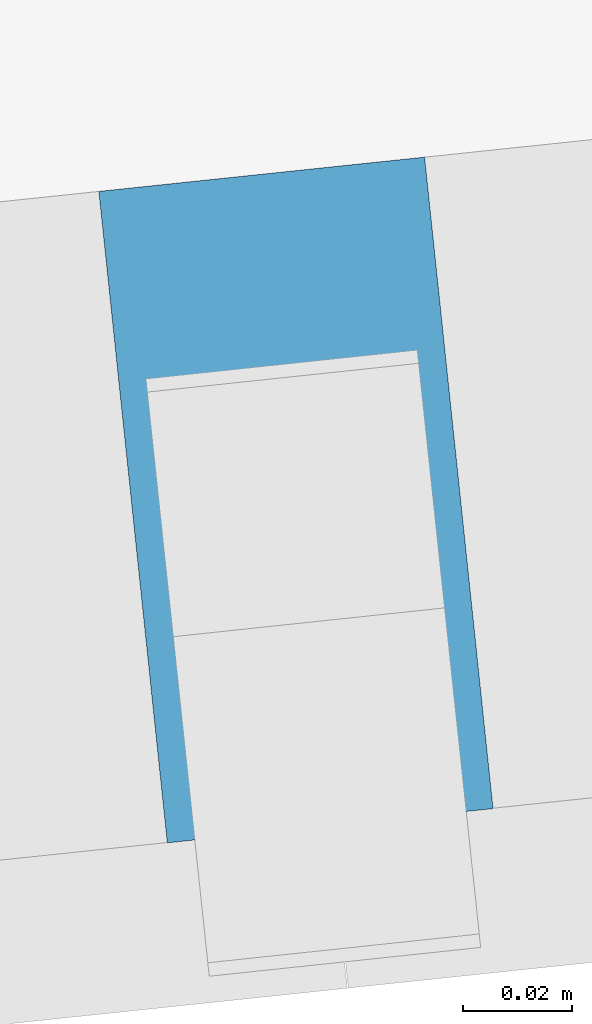
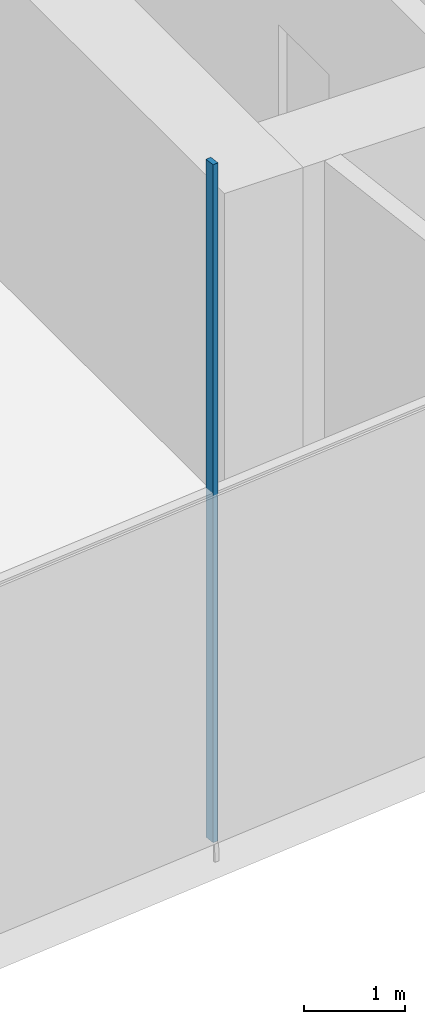
# One storey, part 8 of 41: 1 member, 1 element without a shape of its own.
"""IFC4 building model written with IfcOpenShell, lengths in metres."""

from ifc_helpers import new_model, si_unit, direction, frame, origin, origin_2d, place, context, subcontext, project, spatial, rectangle, extrude, material, layer, layer_set, material_profile, profile_set, type_object, element, aggregate, save


model = new_model("IFC4")

# Units and contexts
model_context = context("Model", 3, precision=1e-05, world=origin(), true_north=direction((0.0, 1.0)))
body_context = subcontext(model_context, "Body", "Model", "MODEL_VIEW")
ifc_project = project(units=[si_unit("LENGTHUNIT", "METRE"), si_unit("AREAUNIT", "SQUARE_METRE"), si_unit("VOLUMEUNIT", "CUBIC_METRE"), si_unit("PLANEANGLEUNIT", "RADIAN"), si_unit("MASSUNIT", "GRAM", prefix="KILO")], contexts=[model_context])

# Site, building, storey
site_placement = place(None, origin())
site = spatial("IfcSite", under=ifc_project, at=site_placement, CompositionType="ELEMENT")
building_placement = place(site_placement, origin())
building = spatial("IfcBuilding", under=site, at=building_placement, Name="Hakoniwa Tower and Hamabe Station Hall", CompositionType="ELEMENT")
storey_placement = place(building_placement, frame((0.0, 0.0, 276.60009765625)))
storey = spatial("IfcBuildingStorey", under=building, at=storey_placement, Name="L77", CompositionType="ELEMENT", Elevation=276.60009765625)

# Curtain wall, member
ifc_material_1 = material(Name="Dark low-e laminated glass", Category="glass")
ifc_layer = layer(ifc_material_1, 0.199951171875)
ifc_layer_set = layer_set([ifc_layer], Name="CW-4 CROWN FACETS")
curtain_wall_type = type_object("IfcCurtainWallType", Name="CW-4 CROWN FACETS", PredefinedType="NOTDEFINED", material=ifc_layer_set)
curtain_wall_placement = place(storey_placement, origin())
curtain_wall = element("IfcCurtainWall", 1, at=curtain_wall_placement, inside=storey, type_object=curtain_wall_type, Name="Crown skirt facet L77", PredefinedType="NOTDEFINED")
ifc_material_2 = material(Name="Aluminium 6063-T5 black anodised", Category="aluminium")
ifc_material_profile = material_profile(ifc_material_2, rectangle(XDim=0.06005859375, YDim=0.1201171875, at=origin_2d()), Name="CW-4 GLAZING BAR 60X120")
ifc_profile_set = profile_set([ifc_material_profile], Name="Aluminium 6063-T5 black anodised")
member_type = type_object("IfcMemberType", Name="CW-4 GLAZING BAR 60X120", PredefinedType="MULLION", material=ifc_profile_set)
member_placement = place(storey_placement, frame((13.796142578125, -13.354736328125, 0.0), z_axis=(0.0, 0.0, 1.0), x_axis=(-0.994521896233, -0.10452845504, 0.0)))
member = element("IfcMember", 2, at=member_placement, type_object=member_type, Name="Crown glazing bar", PredefinedType="MULLION", context=body_context, shape_type="SweptSolid", body=[
    extrude(rectangle(XDim=0.06005859375, YDim=0.1201171875, at=origin_2d()), origin(), (0.0, 0.0, 1.0), 8.199951171875),
])
aggregate(curtain_wall, [member])

save(model, "model.ifc")
